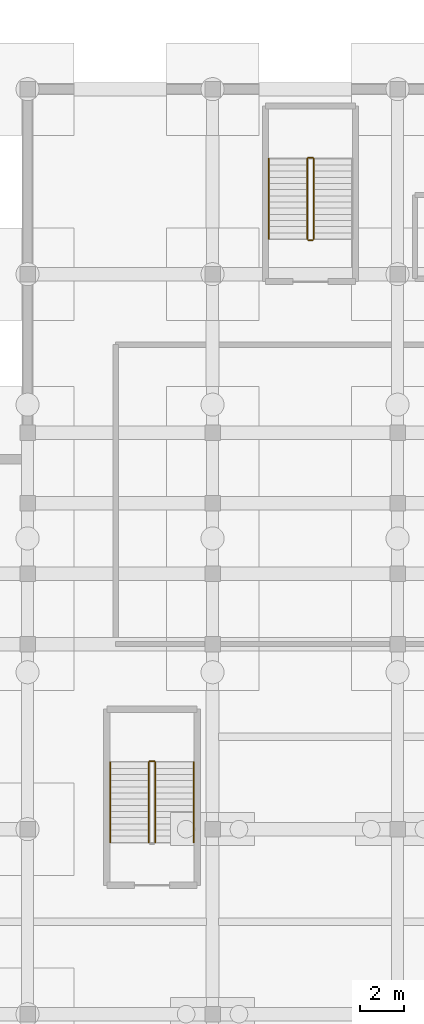
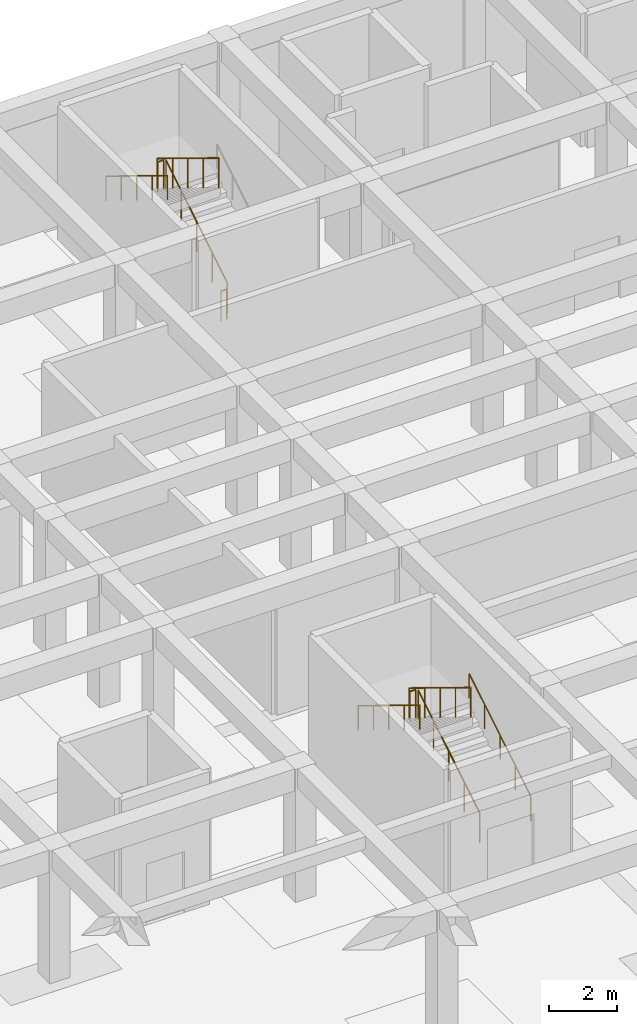
# One storey, part 45 of 51: 10 railings.
"""IFC4 building model written with IfcOpenShell, lengths in metres."""

import ifcopenshell
import ifcopenshell.guid

model = None  # the IFC model being written
_history = None  # IfcOwnerHistory: only IFC2X3 demands one
_inside = {}  # id of a spatial element -> (the spatial element, [elements in it])
_under = {}  # id of a project, library or spatial element -> (it, [spatial elements below it])
_declared = {}  # id of a project -> (the project, [libraries it declares])
_typed = {}  # id of a type object -> (the type object, [elements of that type])
_made_of = {}  # id of a material, layer set ... -> (it, [elements and type objects made of it])


def new_model(schema):
    """Start an empty IFC model of exactly this schema.

    Asked for "IFC4X3", IfcOpenShell would pick the latest addendum, in which some entities
    have other attributes; the version numbers below select the first issue.
    IFC2X3 requires an IfcOwnerHistory on every rooted entity: one is made here for all.
    """
    global model, _history
    if schema == "IFC4X3":
        model = ifcopenshell.file(schema_version=(4, 3, 0, 0))
    else:
        model = ifcopenshell.file(schema=schema)
    _inside.clear()
    _under.clear()
    _declared.clear()
    _typed.clear()
    _made_of.clear()
    _history = None
    if model.schema == "IFC2X3":
        org = make("IfcOrganization", Name="unknown")
        user = make(
            "IfcPersonAndOrganization",
            ThePerson=make("IfcPerson", FamilyName="unknown"),
            TheOrganization=org,
        )
        app = make(
            "IfcApplication",
            ApplicationDeveloper=org,
            Version="unknown",
            ApplicationFullName="unknown",
            ApplicationIdentifier="unknown",
        )
        _history = make(
            "IfcOwnerHistory",
            OwningUser=user,
            OwningApplication=app,
            ChangeAction="ADDED",
            CreationDate=0,
        )
    return model


def make(cls, **values):
    """One entity of the class cls with the attributes given. An attribute that is None is left unset."""
    return model.create_entity(
        cls, **{name: value for name, value in values.items() if value is not None}
    )


def rooted(cls, **values):
    """An entity with a GlobalId (a new one), such as an element, a storey or a relation."""
    return make(cls, GlobalId=ifcopenshell.guid.new(), OwnerHistory=_history, **values)


def si_unit(unit_type, name, prefix=None):
    """IfcSIUnit, for example si_unit("LENGTHUNIT", "METRE", prefix="MILLI")."""
    return make("IfcSIUnit", UnitType=unit_type, Prefix=prefix, Name=name)


def assignment(units):
    """IfcUnitAssignment: the units of a project."""
    return None if units is None else make("IfcUnitAssignment", Units=units)


def point(xyz):
    """IfcCartesianPoint."""
    return None if xyz is None else make("IfcCartesianPoint", Coordinates=xyz)


def direction(xyz):
    """IfcDirection."""
    return None if xyz is None else make("IfcDirection", DirectionRatios=xyz)


def frame(location, z_axis=None, x_axis=None):
    """IfcAxis2Placement3D, a coordinate frame: its origin and axes. An axis left out is left unset."""
    return make(
        "IfcAxis2Placement3D",
        Location=point(location),
        Axis=direction(z_axis),
        RefDirection=direction(x_axis),
    )


def frame_2d(location, x_axis=None):
    """IfcAxis2Placement2D, a coordinate frame in the plane: its origin and x axis."""
    return make(
        "IfcAxis2Placement2D", Location=point(location), RefDirection=direction(x_axis)
    )


def origin():
    """The frame at (0, 0, 0) with its axes left unset."""
    return frame((0.0, 0.0, 0.0))


def origin_2d():
    """The frame at (0, 0) in the plane with its x axis left unset."""
    return frame_2d((0.0, 0.0))


def place(relative_to, where):
    """IfcLocalPlacement: puts the frame where relative to a parent placement (None: the world)."""
    return make(
        "IfcLocalPlacement", PlacementRelTo=relative_to, RelativePlacement=where
    )


def context(
    kind, dimensions, precision=None, world=None, true_north=None, identifier=None
):
    """IfcGeometricRepresentationContext, for example the 3D "Model" context."""
    return make(
        "IfcGeometricRepresentationContext",
        ContextIdentifier=identifier,
        ContextType=kind,
        CoordinateSpaceDimension=dimensions,
        Precision=precision,
        WorldCoordinateSystem=world,
        TrueNorth=true_north,
    )


def subcontext(parent, identifier, kind, view, scale=None):
    """IfcGeometricRepresentationSubContext, for example "Body" below "Model"."""
    return make(
        "IfcGeometricRepresentationSubContext",
        ContextIdentifier=identifier,
        ContextType=kind,
        ParentContext=parent,
        TargetScale=scale,
        TargetView=view,
    )


def project(units=None, contexts=None):
    """IfcProject with its units and contexts."""
    return rooted(
        "IfcProject",
        Name="project",
        RepresentationContexts=contexts,
        UnitsInContext=assignment(units),
    )


def spatial(cls, under=None, at=None, **own):
    """A site, building, storey or space (cls), placed at a placement, below another one or the project."""
    s = rooted(cls, ObjectPlacement=at, **own)
    if under is not None:
        _under.setdefault(under.id(), (under, []))[1].append(s)
    return s


def profile(cls, at=None, kind="AREA", **sizes):
    """A parametric profile (cls). Its sizes go by their IFC names, for example OverallWidth=200.0."""
    return make(cls, ProfileType=kind, Position=at, **sizes)


def circle(**sizes):
    """IfcCircleProfileDef."""
    return profile("IfcCircleProfileDef", **sizes)


def extrude(swept, where, along, depth):
    """IfcExtrudedAreaSolid: the profile swept, set in the frame where, extruded along a direction by depth."""
    return make(
        "IfcExtrudedAreaSolid",
        SweptArea=swept,
        Position=where,
        ExtrudedDirection=direction(along),
        Depth=depth,
    )


def shape(context_of_items, identifier, shape_type, items):
    """IfcShapeRepresentation: the items that make up one representation, for example the "Body"."""
    return make(
        "IfcShapeRepresentation",
        ContextOfItems=context_of_items,
        RepresentationIdentifier=identifier,
        RepresentationType=shape_type,
        Items=items,
    )


def material(Name=None, Category=None):
    """IfcMaterial."""
    return make("IfcMaterial", Name=Name, Category=Category)


def made_of(thing, what):
    """Note that an element or type object is made of a material, layer set ...; save() writes the relation."""
    if what is not None:
        _made_of.setdefault(what.id(), (what, []))[1].append(thing)
    return thing


def type_object(cls, material=None, **own):
    """A type object (cls), such as IfcWallType, which elements share."""
    return made_of(rooted(cls, **own), material)


def element(
    cls,
    number,
    at=None,
    inside=None,
    cuts=None,
    type_object=None,
    material=None,
    context=None,
    identifier="Body",
    shape_type=None,
    held_by="IfcProductDefinitionShape",
    body=None,
    shapes=None,
    **own,
):
    """One element of the class cls, such as IfcWall. Its Tag is "e" and its number.

    at: its placement. inside: the storey or other place that contains it. cuts: it is an
    opening in that element (IfcRelVoidsElement). A single representation is given by context,
    identifier, shape_type and body (its items); several are given by shapes. held_by: the class
    of the entity that holds the representations. save() writes the other relations.
    """
    e = rooted(cls, Tag="e%d" % number, ObjectPlacement=at, **own)
    if body is not None:
        shapes = [shape(context, identifier, shape_type, body)]
    if shapes is not None:
        e.Representation = make(held_by, Representations=shapes)
    if inside is not None:
        _inside.setdefault(inside.id(), (inside, []))[1].append(e)
    if cuts is not None:
        rooted(
            "IfcRelVoidsElement", RelatingBuildingElement=cuts, RelatedOpeningElement=e
        )
    if type_object is not None:
        _typed.setdefault(type_object.id(), (type_object, []))[1].append(e)
    return made_of(e, material)


def aggregate(whole, parts):
    """IfcRelAggregates: a whole, such as a stair, and the parts it consists of."""
    return rooted("IfcRelAggregates", RelatingObject=whole, RelatedObjects=parts)


def save(model, path):
    """Write the relations noted so far, then the file.

    IfcRelAggregates (storeys below a building ...), IfcRelContainedInSpatialStructure (elements
    in a storey), IfcRelDefinesByType, IfcRelAssociatesMaterial and IfcRelDeclares: one each for
    every whole, place, type object, material and project.
    """
    for whole, parts in _under.values():
        aggregate(whole, parts)
    for where, things in _inside.values():
        rooted(
            "IfcRelContainedInSpatialStructure",
            RelatedElements=things,
            RelatingStructure=where,
        )
    for kind, things in _typed.values():
        rooted("IfcRelDefinesByType", RelatedObjects=things, RelatingType=kind)
    for what, things in _made_of.values():
        rooted("IfcRelAssociatesMaterial", RelatedObjects=things, RelatingMaterial=what)
    for by, libraries in _declared.values():
        rooted("IfcRelDeclares", RelatingContext=by, RelatedDefinitions=libraries)
    model.write(path)


model = new_model("IFC4")

# Units and contexts
model_context = context("Model", 3, precision=1e-05, world=origin(), true_north=direction((0.0, 1.0)))
body_context = subcontext(model_context, "Body", "Model", "MODEL_VIEW")
ifc_project = project(units=[si_unit("LENGTHUNIT", "METRE"), si_unit("AREAUNIT", "SQUARE_METRE"), si_unit("VOLUMEUNIT", "CUBIC_METRE"), si_unit("PLANEANGLEUNIT", "RADIAN"), si_unit("MASSUNIT", "GRAM", prefix="KILO")], contexts=[model_context])

# Site, building, storey
site_placement = place(None, origin())
site = spatial("IfcSite", under=ifc_project, at=site_placement, CompositionType="ELEMENT")
building_placement = place(site_placement, origin())
building = spatial("IfcBuilding", under=site, at=building_placement, Name="Varncliffe General Hospital", CompositionType="ELEMENT")
storey_placement = place(building_placement, frame((0.0, 0.0, -4.800048828125)))
storey = spatial("IfcBuildingStorey", under=building, at=storey_placement, Name="B1", CompositionType="ELEMENT", Elevation=-4.800048828125)

# Railings
ifc_material = material(Name="Powder-coated hospital steel guardrail and handrail", Category="steel")
railing_type_1 = type_object("IfcRailingType", Name="Stair and Ramp Handrail HR46", PredefinedType="HANDRAIL", material=ifc_material)
railing_1_placement = place(storey_placement, frame((120.14990234375, 121.639892578125, 2.746826171875)))
element("IfcRailing", 1, at=railing_1_placement, inside=storey, type_object=railing_type_1, Name="B1 ST03 stair handrail 2", PredefinedType="HANDRAIL", context=body_context, shape_type="SweptSolid", body=[
    extrude(circle(Radius=0.02392578125, at=origin_2d()), frame((0.0, 0.0, 0.8759765625), z_axis=(0.0, -0.852824790078, 0.522197163366), x_axis=(1.0, 0.0, 0.0)), (0.0, 0.0, 1.0), 4.26806640625),
    extrude(circle(Radius=0.02099609375, at=origin_2d()), origin(), (0.0, 0.0, 1.0), 0.851806640625),
    extrude(circle(Radius=0.02099609375, at=origin_2d()), frame((0.0, -0.909912109375, 0.55712890625)), (0.0, 0.0, 1.0), 0.851806640625),
    extrude(circle(Radius=0.02099609375, at=origin_2d()), frame((0.0, -1.81982421875, 1.1142578125)), (0.0, 0.0, 1.0), 0.851806640625),
    extrude(circle(Radius=0.02099609375, at=origin_2d()), frame((0.0, -2.72998046875, 1.671630859375)), (0.0, 0.0, 1.0), 0.851806640625),
    extrude(circle(Radius=0.02099609375, at=origin_2d()), frame((0.0, -3.639892578125, 2.228759765625)), (0.0, 0.0, 1.0), 0.851806640625),
])
railing_2_placement = place(storey_placement, frame((116.75, 90.60009765625, 0.346923828125)))
element("IfcRailing", 2, at=railing_2_placement, inside=storey, type_object=railing_type_1, Name="B1 ST06 stair handrail 1", PredefinedType="HANDRAIL", context=body_context, shape_type="SweptSolid", body=[
    extrude(circle(Radius=0.02392578125, at=origin_2d()), frame((0.0, 0.0, 0.8759765625), z_axis=(0.0, 0.852850264322, 0.5221555579), x_axis=(-1.0, 0.0, 0.0)), (0.0, 0.0, 1.0), 4.267822265625),
    extrude(circle(Radius=0.02099609375, at=origin_2d()), origin(), (0.0, 0.0, 1.0), 0.851806640625),
    extrude(circle(Radius=0.02099609375, at=origin_2d()), frame((0.0, 0.909912109375, 0.55712890625)), (0.0, 0.0, 1.0), 0.851806640625),
    extrude(circle(Radius=0.02099609375, at=origin_2d()), frame((0.0, 1.81982421875, 1.1142578125)), (0.0, 0.0, 1.0), 0.851806640625),
    extrude(circle(Radius=0.02099609375, at=origin_2d()), frame((0.0, 2.72998046875, 1.67138671875)), (0.0, 0.0, 1.0), 0.851806640625),
    extrude(circle(Radius=0.02099609375, at=origin_2d()), frame((0.0, 3.639892578125, 2.228515625)), (0.0, 0.0, 1.0), 0.851806640625),
])
railing_3_placement = place(storey_placement, frame((112.949951171875, 94.239990234375, 2.746826171875)))
element("IfcRailing", 3, at=railing_3_placement, inside=storey, type_object=railing_type_1, Name="B1 ST06 stair handrail 2", PredefinedType="HANDRAIL", context=body_context, shape_type="SweptSolid", body=[
    extrude(circle(Radius=0.02392578125, at=origin_2d()), frame((0.0, 0.0, 0.8759765625), z_axis=(0.0, -0.852824790078, 0.522197163366), x_axis=(1.0, 0.0, 0.0)), (0.0, 0.0, 1.0), 4.26806640625),
    extrude(circle(Radius=0.02099609375, at=origin_2d()), origin(), (0.0, 0.0, 1.0), 0.851806640625),
    extrude(circle(Radius=0.02099609375, at=origin_2d()), frame((0.0, -0.909912109375, 0.55712890625)), (0.0, 0.0, 1.0), 0.851806640625),
    extrude(circle(Radius=0.02099609375, at=origin_2d()), frame((0.0, -1.81982421875, 1.1142578125)), (0.0, 0.0, 1.0), 0.851806640625),
    extrude(circle(Radius=0.02099609375, at=origin_2d()), frame((0.0, -2.72998046875, 1.671630859375)), (0.0, 0.0, 1.0), 0.851806640625),
    extrude(circle(Radius=0.02099609375, at=origin_2d()), frame((0.0, -3.639892578125, 2.228759765625)), (0.0, 0.0, 1.0), 0.851806640625),
])
railing_type_2 = type_object("IfcRailingType", Name="Stairwell Guardrail SG49", PredefinedType="GUARDRAIL", material=ifc_material)
railing_4_placement = place(storey_placement, frame((122.199951171875, 118.0, 0.17138671875)))
element("IfcRailing", 4, at=railing_4_placement, inside=storey, type_object=railing_type_2, Name="B1 ST03 stair guard 1", PredefinedType="GUARDRAIL", context=body_context, shape_type="SweptSolid", body=[
    extrude(circle(Radius=0.02392578125, at=origin_2d()), frame((0.0, 0.0, 1.076171875), z_axis=(0.0, 0.852824790078, 0.522197163366), x_axis=(-1.0, 0.0, 0.0)), (0.0, 0.0, 1.0), 4.26806640625),
    extrude(circle(Radius=0.02099609375, at=origin_2d()), origin(), (0.0, 0.0, 1.0), 1.052001953125),
    extrude(circle(Radius=0.02099609375, at=origin_2d()), frame((0.0, 0.909912109375, 0.55712890625)), (0.0, 0.0, 1.0), 1.052001953125),
    extrude(circle(Radius=0.02099609375, at=origin_2d()), frame((0.0, 1.81982421875, 1.1142578125)), (0.0, 0.0, 1.0), 1.052001953125),
    extrude(circle(Radius=0.02099609375, at=origin_2d()), frame((0.0, 2.72998046875, 1.671630859375)), (0.0, 0.0, 1.0), 1.052001953125),
    extrude(circle(Radius=0.02099609375, at=origin_2d()), frame((0.0, 3.639892578125, 2.228759765625)), (0.0, 0.0, 1.0), 1.052001953125),
])
railing_5_placement = place(storey_placement, frame((122.14990234375, 121.68994140625, 2.400146484375)))
element("IfcRailing", 5, at=railing_5_placement, inside=storey, type_object=railing_type_2, Name="B1 ST03 stair guard 2", PredefinedType="GUARDRAIL", context=body_context, shape_type="SweptSolid", body=[
    extrude(circle(Radius=0.02392578125, at=origin_2d()), frame((0.0, 0.0, 1.076171875), z_axis=(-1.0, 0.0, 0.0), x_axis=(0.0, -1.0, 0.0)), (0.0, 0.0, 1.0), 0.199951171875),
    extrude(circle(Radius=0.02099609375, at=origin_2d()), origin(), (0.0, 0.0, 1.0), 1.052001953125),
    extrude(circle(Radius=0.02099609375, at=origin_2d()), frame((-0.199951171875, 0.0, 0.0)), (0.0, 0.0, 1.0), 1.052001953125),
])
railing_6_placement = place(storey_placement, frame((121.89990234375, 121.639892578125, 2.571533203125)))
element("IfcRailing", 6, at=railing_6_placement, inside=storey, type_object=railing_type_2, Name="B1 ST03 stair guard 3", PredefinedType="GUARDRAIL", context=body_context, shape_type="SweptSolid", body=[
    extrude(circle(Radius=0.02392578125, at=origin_2d()), frame((0.0, 0.0, 1.076171875), z_axis=(0.0, -0.852850264322, 0.5221555579), x_axis=(1.0, 0.0, 0.0)), (0.0, 0.0, 1.0), 4.267822265625),
    extrude(circle(Radius=0.02099609375, at=origin_2d()), origin(), (0.0, 0.0, 1.0), 1.052001953125),
    extrude(circle(Radius=0.02099609375, at=origin_2d()), frame((0.0, -0.909912109375, 0.55712890625)), (0.0, 0.0, 1.0), 1.052001953125),
    extrude(circle(Radius=0.02099609375, at=origin_2d()), frame((0.0, -1.81982421875, 1.1142578125)), (0.0, 0.0, 1.0), 1.052001953125),
    extrude(circle(Radius=0.02099609375, at=origin_2d()), frame((0.0, -2.72998046875, 1.67138671875)), (0.0, 0.0, 1.0), 1.052001953125),
    extrude(circle(Radius=0.02099609375, at=origin_2d()), frame((0.0, -3.639892578125, 2.228515625)), (0.0, 0.0, 1.0), 1.052001953125),
])
railing_7_placement = place(storey_placement, frame((122.14990234375, 117.949951171875, 0.0)))
element("IfcRailing", 7, at=railing_7_placement, inside=storey, type_object=railing_type_2, Name="B1 ST03 stair guard 4", PredefinedType="GUARDRAIL", context=body_context, shape_type="SweptSolid", body=[
    extrude(circle(Radius=0.02392578125, at=origin_2d()), frame((0.0, 0.0, 1.076171875), z_axis=(-1.0, 0.0, 0.0), x_axis=(0.0, -1.0, 0.0)), (0.0, 0.0, 1.0), 0.199951171875),
    extrude(circle(Radius=0.02099609375, at=origin_2d()), origin(), (0.0, 0.0, 1.0), 1.052001953125),
    extrude(circle(Radius=0.02099609375, at=origin_2d()), frame((-0.199951171875, 0.0, 0.0)), (0.0, 0.0, 1.0), 1.052001953125),
])
railing_8_placement = place(storey_placement, frame((115.0, 90.60009765625, 0.17138671875)))
element("IfcRailing", 8, at=railing_8_placement, inside=storey, type_object=railing_type_2, Name="B1 ST06 stair guard 1", PredefinedType="GUARDRAIL", context=body_context, shape_type="SweptSolid", body=[
    extrude(circle(Radius=0.02392578125, at=origin_2d()), frame((0.0, 0.0, 1.076171875), z_axis=(0.0, 0.852824790078, 0.522197163366), x_axis=(-1.0, 0.0, 0.0)), (0.0, 0.0, 1.0), 4.26806640625),
    extrude(circle(Radius=0.02099609375, at=origin_2d()), origin(), (0.0, 0.0, 1.0), 1.052001953125),
    extrude(circle(Radius=0.02099609375, at=origin_2d()), frame((0.0, 0.909912109375, 0.55712890625)), (0.0, 0.0, 1.0), 1.052001953125),
    extrude(circle(Radius=0.02099609375, at=origin_2d()), frame((0.0, 1.81982421875, 1.1142578125)), (0.0, 0.0, 1.0), 1.052001953125),
    extrude(circle(Radius=0.02099609375, at=origin_2d()), frame((0.0, 2.72998046875, 1.671630859375)), (0.0, 0.0, 1.0), 1.052001953125),
    extrude(circle(Radius=0.02099609375, at=origin_2d()), frame((0.0, 3.639892578125, 2.228759765625)), (0.0, 0.0, 1.0), 1.052001953125),
])
railing_9_placement = place(storey_placement, frame((114.949951171875, 94.2900390625, 2.400146484375)))
element("IfcRailing", 9, at=railing_9_placement, inside=storey, type_object=railing_type_2, Name="B1 ST06 stair guard 2", PredefinedType="GUARDRAIL", context=body_context, shape_type="SweptSolid", body=[
    extrude(circle(Radius=0.02392578125, at=origin_2d()), frame((0.0, 0.0, 1.076171875), z_axis=(-1.0, 0.0, 0.0), x_axis=(0.0, -1.0, 0.0)), (0.0, 0.0, 1.0), 0.199951171875),
    extrude(circle(Radius=0.02099609375, at=origin_2d()), origin(), (0.0, 0.0, 1.0), 1.052001953125),
    extrude(circle(Radius=0.02099609375, at=origin_2d()), frame((-0.199951171875, 0.0, 0.0)), (0.0, 0.0, 1.0), 1.052001953125),
])
railing_10_placement = place(storey_placement, frame((114.699951171875, 94.239990234375, 2.571533203125)))
element("IfcRailing", 10, at=railing_10_placement, inside=storey, type_object=railing_type_2, Name="B1 ST06 stair guard 3", PredefinedType="GUARDRAIL", context=body_context, shape_type="SweptSolid", body=[
    extrude(circle(Radius=0.02392578125, at=origin_2d()), frame((0.0, 0.0, 1.076171875), z_axis=(0.0, -0.852850264322, 0.5221555579), x_axis=(1.0, 0.0, 0.0)), (0.0, 0.0, 1.0), 4.267822265625),
    extrude(circle(Radius=0.02099609375, at=origin_2d()), origin(), (0.0, 0.0, 1.0), 1.052001953125),
    extrude(circle(Radius=0.02099609375, at=origin_2d()), frame((0.0, -0.909912109375, 0.55712890625)), (0.0, 0.0, 1.0), 1.052001953125),
    extrude(circle(Radius=0.02099609375, at=origin_2d()), frame((0.0, -1.81982421875, 1.1142578125)), (0.0, 0.0, 1.0), 1.052001953125),
    extrude(circle(Radius=0.02099609375, at=origin_2d()), frame((0.0, -2.72998046875, 1.67138671875)), (0.0, 0.0, 1.0), 1.052001953125),
    extrude(circle(Radius=0.02099609375, at=origin_2d()), frame((0.0, -3.639892578125, 2.228515625)), (0.0, 0.0, 1.0), 1.052001953125),
])

save(model, "model.ifc")
